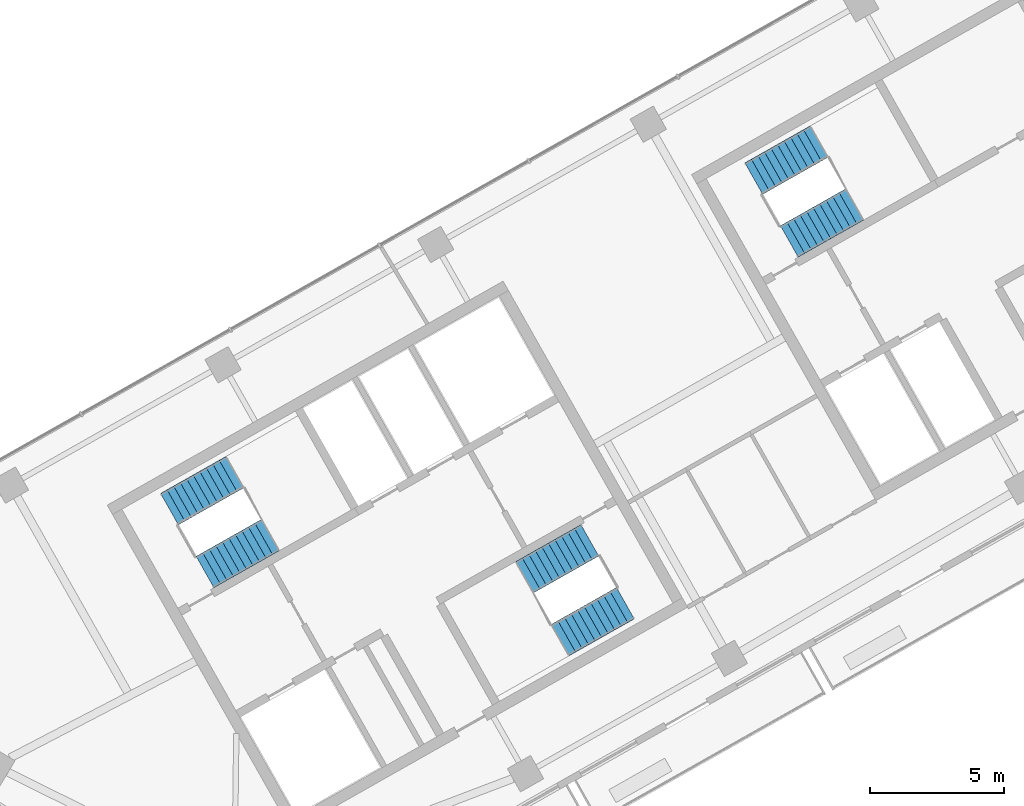
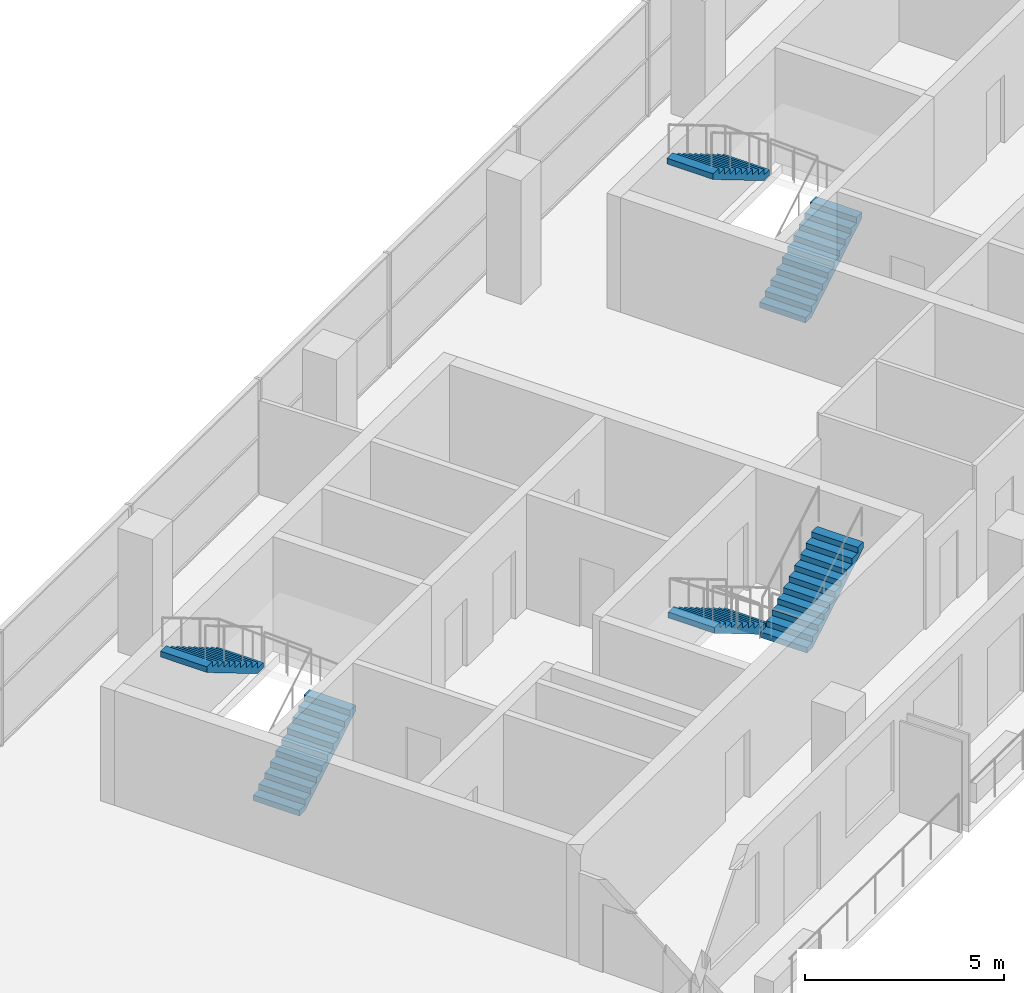
# One storey, part 8 of 10: 6 stair flights, 3 elements without a shape of their own.
"""IFC4 building model written with IfcOpenShell, lengths in metres."""

from ifc_helpers import new_model, si_unit, direction, frame, origin, place, context, subcontext, project, spatial, polyline, outline, extrude, material, type_object, element, aggregate, save


model = new_model("IFC4")

# Units and contexts
model_context = context("Model", 3, precision=1e-05, world=origin(), true_north=direction((0.0, 1.0)))
body_context = subcontext(model_context, "Body", "Model", "MODEL_VIEW")
ifc_project = project(units=[si_unit("LENGTHUNIT", "METRE"), si_unit("AREAUNIT", "SQUARE_METRE"), si_unit("VOLUMEUNIT", "CUBIC_METRE"), si_unit("PLANEANGLEUNIT", "RADIAN"), si_unit("MASSUNIT", "GRAM", prefix="KILO")], contexts=[model_context])

# Site, building, storey
site_placement = place(None, origin())
site = spatial("IfcSite", under=ifc_project, at=site_placement, CompositionType="ELEMENT")
building_placement = place(site_placement, origin())
building = spatial("IfcBuilding", under=site, at=building_placement, Name="Binnacle Exchange Tower", CompositionType="ELEMENT")
storey_placement = place(building_placement, frame((0.0, 0.0, 331.699951171875)))
storey = spatial("IfcBuildingStorey", under=building, at=storey_placement, Name="L75", CompositionType="ELEMENT", Elevation=331.699951171875)

# Stair, stair flights
ifc_material = material(Name="Concrete C35/45", Category="concrete")
stair_type = type_object("IfcStairType", Name="STAIR 22 RISERS 173", PredefinedType="HALF_TURN_STAIR", material=ifc_material)
stair_1_placement = place(storey_placement, origin())
stair_1 = element("IfcStair", 1, at=stair_1_placement, inside=storey, type_object=stair_type, Name="L75 Escape stair A1", PredefinedType="HALF_TURN_STAIR")
stair_flight_type = type_object("IfcStairFlightType", Name="STAIR FLIGHT 173X280", PredefinedType="STRAIGHT", material=ifc_material)
stair_flight_1_placement = place(storey_placement, frame((-42.9541015625, 39.17333984375, 0.0), z_axis=(0.0, 0.0, 1.0), x_axis=(0.870355584213, 0.492423757581, 0.0)))
stair_flight_1 = element("IfcStairFlight", 2, at=stair_flight_1_placement, type_object=stair_flight_type, Name="STA1 flight 1", NumberOfRisers=11, NumberOfTreads=10, PredefinedType="STRAIGHT", RiserHeight=0.172727273, TreadLength=0.28, context=body_context, shape_type="SweptSolid", body=[
    extrude(outline(polyline([(0.0, 0.0), (0.0, 0.172607421875), (0.280029296875, 0.172607421875), (0.280029296875, 0.345458984375), (0.56005859375, 0.345458984375), (0.56005859375, 0.51806640625), (0.840087890625, 0.51806640625), (0.840087890625, 0.69091796875), (1.1201171875, 0.69091796875), (1.1201171875, 0.863525390625), (1.39990234375, 0.863525390625), (1.39990234375, 1.036376953125), (1.679931640625, 1.036376953125), (1.679931640625, 1.208984375), (1.9599609375, 1.208984375), (1.9599609375, 1.3818359375), (2.239990234375, 1.3818359375), (2.239990234375, 1.554443359375), (2.52001953125, 1.554443359375), (2.52001953125, 1.727294921875), (2.800048828125, 1.727294921875), (2.800048828125, 1.89990234375), (2.800048828125, 1.551025390625), (0.285400390625, 0.0), (0.0, 0.0)])), frame((0.0, 0.675048828125, 0.0), z_axis=(0.0, -1.0, 0.0), x_axis=(1.0, 0.0, 0.0)), (0.0, 0.0, 1.0), 1.35009765625),
])
stair_flight_2_placement = place(storey_placement, frame((-41.846435546875, 42.902099609375, 1.900146484375), z_axis=(0.0, 0.0, 1.0), x_axis=(-0.870355584213, -0.492423757581, 0.0)))
stair_flight_2 = element("IfcStairFlight", 3, at=stair_flight_2_placement, type_object=stair_flight_type, Name="STA1 flight 2", NumberOfRisers=11, NumberOfTreads=10, PredefinedType="STRAIGHT", RiserHeight=0.172727273, TreadLength=0.28, context=body_context, shape_type="SweptSolid", body=[
    extrude(outline(polyline([(0.0, 0.0), (0.0, 0.172607421875), (0.280029296875, 0.172607421875), (0.280029296875, 0.345458984375), (0.56005859375, 0.345458984375), (0.56005859375, 0.51806640625), (0.840087890625, 0.51806640625), (0.840087890625, 0.69091796875), (1.1201171875, 0.69091796875), (1.1201171875, 0.863525390625), (1.39990234375, 0.863525390625), (1.39990234375, 1.036376953125), (1.679931640625, 1.036376953125), (1.679931640625, 1.208984375), (1.9599609375, 1.208984375), (1.9599609375, 1.3818359375), (2.239990234375, 1.3818359375), (2.239990234375, 1.554443359375), (2.52001953125, 1.554443359375), (2.52001953125, 1.727294921875), (2.800048828125, 1.727294921875), (2.800048828125, 1.89990234375), (2.800048828125, 1.551025390625), (0.285400390625, 0.0), (0.0, 0.0)])), frame((0.0, 0.675048828125, 0.0), z_axis=(0.0, -1.0, 0.0), x_axis=(1.0, 0.0, 0.0)), (0.0, 0.0, 1.0), 1.35009765625),
])
aggregate(stair_1, [stair_flight_1, stair_flight_2])

stair_2_placement = place(storey_placement, origin())
stair_2 = element("IfcStair", 4, at=stair_2_placement, inside=storey, type_object=stair_type, Name="L75 Escape stair A2", PredefinedType="HALF_TURN_STAIR")
stair_flight_3_placement = place(storey_placement, frame((-28.5732421875, 40.3583984375, 0.0), z_axis=(0.0, 0.0, 1.0), x_axis=(-0.870355584213, -0.492423757581, 0.0)))
stair_flight_3 = element("IfcStairFlight", 5, at=stair_flight_3_placement, type_object=stair_flight_type, Name="STA2 flight 1", NumberOfRisers=11, NumberOfTreads=10, PredefinedType="STRAIGHT", RiserHeight=0.172727273, TreadLength=0.28, context=body_context, shape_type="SweptSolid", body=[
    extrude(outline(polyline([(0.0, 0.0), (0.0, 0.172607421875), (0.280029296875, 0.172607421875), (0.280029296875, 0.345458984375), (0.56005859375, 0.345458984375), (0.56005859375, 0.51806640625), (0.840087890625, 0.51806640625), (0.840087890625, 0.69091796875), (1.1201171875, 0.69091796875), (1.1201171875, 0.863525390625), (1.39990234375, 0.863525390625), (1.39990234375, 1.036376953125), (1.679931640625, 1.036376953125), (1.679931640625, 1.208984375), (1.9599609375, 1.208984375), (1.9599609375, 1.3818359375), (2.239990234375, 1.3818359375), (2.239990234375, 1.554443359375), (2.52001953125, 1.554443359375), (2.52001953125, 1.727294921875), (2.800048828125, 1.727294921875), (2.800048828125, 1.89990234375), (2.800048828125, 1.551025390625), (0.285400390625, 0.0), (0.0, 0.0)])), frame((0.0, 0.675048828125, 0.0), z_axis=(0.0, -1.0, 0.0), x_axis=(1.0, 0.0, 0.0)), (0.0, 0.0, 1.0), 1.35009765625),
])
stair_flight_4_placement = place(storey_placement, frame((-29.6806640625, 36.629638671875, 1.900146484375), z_axis=(0.0, 0.0, 1.0), x_axis=(0.870355584213, 0.492423757581, 0.0)))
stair_flight_4 = element("IfcStairFlight", 6, at=stair_flight_4_placement, type_object=stair_flight_type, Name="STA2 flight 2", NumberOfRisers=11, NumberOfTreads=10, PredefinedType="STRAIGHT", RiserHeight=0.172727273, TreadLength=0.28, context=body_context, shape_type="SweptSolid", body=[
    extrude(outline(polyline([(0.0, 0.0), (0.0, 0.172607421875), (0.280029296875, 0.172607421875), (0.280029296875, 0.345458984375), (0.56005859375, 0.345458984375), (0.56005859375, 0.51806640625), (0.840087890625, 0.51806640625), (0.840087890625, 0.69091796875), (1.1201171875, 0.69091796875), (1.1201171875, 0.863525390625), (1.39990234375, 0.863525390625), (1.39990234375, 1.036376953125), (1.679931640625, 1.036376953125), (1.679931640625, 1.208984375), (1.9599609375, 1.208984375), (1.9599609375, 1.3818359375), (2.239990234375, 1.3818359375), (2.239990234375, 1.554443359375), (2.52001953125, 1.554443359375), (2.52001953125, 1.727294921875), (2.800048828125, 1.727294921875), (2.800048828125, 1.89990234375), (2.800048828125, 1.551025390625), (0.285400390625, 0.0), (0.0, 0.0)])), frame((0.0, 0.675048828125, 0.0), z_axis=(0.0, -1.0, 0.0), x_axis=(1.0, 0.0, 0.0)), (0.0, 0.0, 1.0), 1.35009765625),
])
aggregate(stair_2, [stair_flight_3, stair_flight_4])

stair_3_placement = place(storey_placement, origin())
stair_3 = element("IfcStair", 7, at=stair_3_placement, inside=storey, type_object=stair_type, Name="L75 Escape stair C1", PredefinedType="HALF_TURN_STAIR")
stair_flight_5_placement = place(storey_placement, frame((-21.115966796875, 51.528564453125, 0.0), z_axis=(0.0, 0.0, 1.0), x_axis=(0.870355584213, 0.492423757581, 0.0)))
stair_flight_5 = element("IfcStairFlight", 8, at=stair_flight_5_placement, type_object=stair_flight_type, Name="STC1 flight 1", NumberOfRisers=11, NumberOfTreads=10, PredefinedType="STRAIGHT", RiserHeight=0.172727273, TreadLength=0.28, context=body_context, shape_type="SweptSolid", body=[
    extrude(outline(polyline([(0.0, 0.0), (0.0, 0.172607421875), (0.280029296875, 0.172607421875), (0.280029296875, 0.345458984375), (0.56005859375, 0.345458984375), (0.56005859375, 0.51806640625), (0.840087890625, 0.51806640625), (0.840087890625, 0.69091796875), (1.1201171875, 0.69091796875), (1.1201171875, 0.863525390625), (1.39990234375, 0.863525390625), (1.39990234375, 1.036376953125), (1.679931640625, 1.036376953125), (1.679931640625, 1.208984375), (1.9599609375, 1.208984375), (1.9599609375, 1.3818359375), (2.239990234375, 1.3818359375), (2.239990234375, 1.554443359375), (2.52001953125, 1.554443359375), (2.52001953125, 1.727294921875), (2.800048828125, 1.727294921875), (2.800048828125, 1.89990234375), (2.800048828125, 1.551025390625), (0.285400390625, 0.0), (0.0, 0.0)])), frame((0.0, 0.675048828125, 0.0), z_axis=(0.0, -1.0, 0.0), x_axis=(1.0, 0.0, 0.0)), (0.0, 0.0, 1.0), 1.35009765625),
])
stair_flight_6_placement = place(storey_placement, frame((-20.008544921875, 55.25732421875, 1.900146484375), z_axis=(0.0, 0.0, 1.0), x_axis=(-0.870355584213, -0.492423757581, 0.0)))
stair_flight_6 = element("IfcStairFlight", 9, at=stair_flight_6_placement, type_object=stair_flight_type, Name="STC1 flight 2", NumberOfRisers=11, NumberOfTreads=10, PredefinedType="STRAIGHT", RiserHeight=0.172727273, TreadLength=0.28, context=body_context, shape_type="SweptSolid", body=[
    extrude(outline(polyline([(0.0, 0.0), (0.0, 0.172607421875), (0.280029296875, 0.172607421875), (0.280029296875, 0.345458984375), (0.56005859375, 0.345458984375), (0.56005859375, 0.51806640625), (0.840087890625, 0.51806640625), (0.840087890625, 0.69091796875), (1.1201171875, 0.69091796875), (1.1201171875, 0.863525390625), (1.39990234375, 0.863525390625), (1.39990234375, 1.036376953125), (1.679931640625, 1.036376953125), (1.679931640625, 1.208984375), (1.9599609375, 1.208984375), (1.9599609375, 1.3818359375), (2.239990234375, 1.3818359375), (2.239990234375, 1.554443359375), (2.52001953125, 1.554443359375), (2.52001953125, 1.727294921875), (2.800048828125, 1.727294921875), (2.800048828125, 1.89990234375), (2.800048828125, 1.551025390625), (0.285400390625, 0.0), (0.0, 0.0)])), frame((0.0, 0.675048828125, 0.0), z_axis=(0.0, -1.0, 0.0), x_axis=(1.0, 0.0, 0.0)), (0.0, 0.0, 1.0), 1.35009765625),
])
aggregate(stair_3, [stair_flight_5, stair_flight_6])

save(model, "model.ifc")
